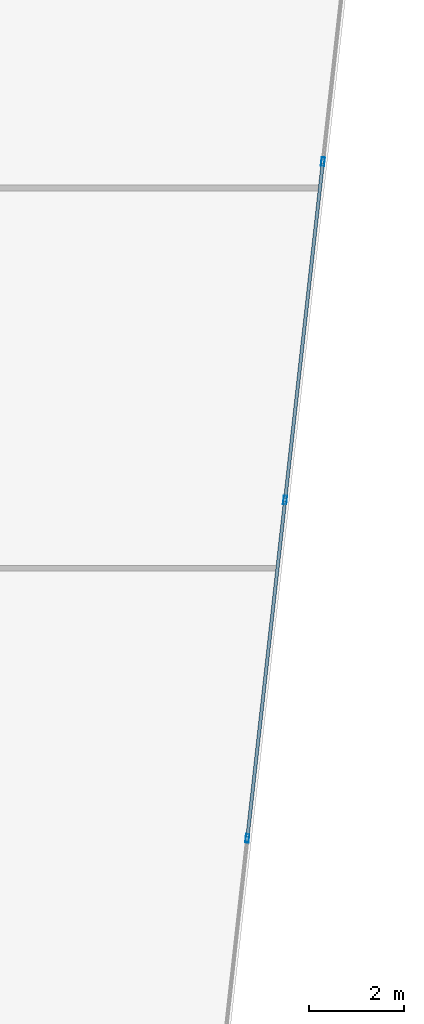
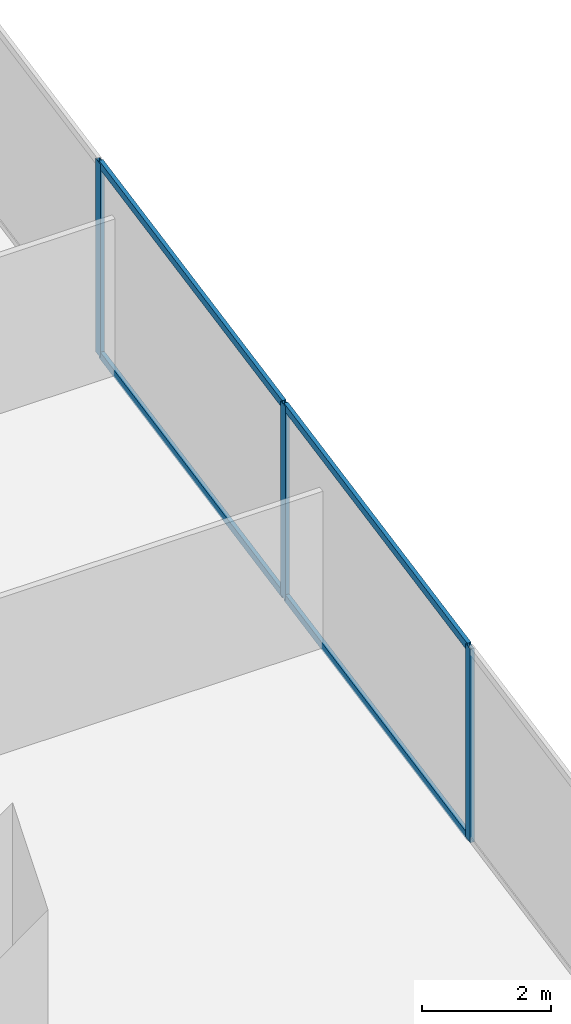
# One storey, part 14 of 29: 7 members, 1 element without a shape of its own.
"""IFC4 building model written with IfcOpenShell, lengths in metres."""

from ifc_helpers import new_model, si_unit, direction, frame, origin, origin_2d, place, context, subcontext, project, spatial, hollow_rectangle, extrude, source, transform, mapped, material, material_profile, profile_set, type_object, type_shapes, element, aggregate, save


model = new_model("IFC4")

# Units and contexts
model_context = context("Model", 3, precision=1e-05, world=origin(), true_north=direction((0.0, 1.0)))
body_context = subcontext(model_context, "Body", "Model", "MODEL_VIEW")
ifc_project = project(units=[si_unit("LENGTHUNIT", "METRE"), si_unit("AREAUNIT", "SQUARE_METRE"), si_unit("VOLUMEUNIT", "CUBIC_METRE"), si_unit("PLANEANGLEUNIT", "RADIAN"), si_unit("MASSUNIT", "GRAM", prefix="KILO")], contexts=[model_context])

# Site, building, storey
site_placement = place(None, origin())
site = spatial("IfcSite", under=ifc_project, at=site_placement, CompositionType="ELEMENT")
building_placement = place(site_placement, origin())
building = spatial("IfcBuilding", under=site, at=building_placement, Name="Krantzveldt Concourse Tower", CompositionType="ELEMENT")
storey_placement = place(building_placement, frame((0.0, 0.0, 60.550048828125)))
storey = spatial("IfcBuildingStorey", under=building, at=storey_placement, Name="L14", CompositionType="ELEMENT", Elevation=60.550048828125)

# Curtain wall, members
ifc_material = material(Name="Anodised aluminium 6063-T6", Category="aluminium")
curtain_wall_type = type_object("IfcCurtainWallType", Name="CW2", PredefinedType="USERDEFINED", material=ifc_material)
curtain_wall_placement = place(storey_placement, origin())
curtain_wall = element("IfcCurtainWall", 1, at=curtain_wall_placement, inside=storey, type_object=curtain_wall_type, Name="CW-L14-F07", ObjectType="UNITISED CURTAIN WALL", PredefinedType="USERDEFINED")
ifc_material_profile_1 = material_profile(ifc_material, hollow_rectangle(XDim=0.070068359375, YDim=0.179931640625, WallThickness=0.0048828125, at=origin_2d()), Name="Anodised aluminium 6063-T6", Category="aluminium")
ifc_profile_set_1 = profile_set([ifc_material_profile_1], Name="Anodised aluminium 6063-T6 - ALU-MULL 180x70x5")
member_type_1 = type_object("IfcMemberType", Name="CW-MUL-180", PredefinedType="MULLION", material=ifc_profile_set_1)
shared_shape_1 = source(origin(), body_context, "Body", "SweptSolid", [
    extrude(hollow_rectangle(XDim=0.070068359375, YDim=0.179931640625, WallThickness=0.0048828125, at=origin_2d()), origin(), (0.0, 0.0, 1.0), 3.669921875),
])
type_shapes(member_type_1, [shared_shape_1])
member_1_placement = place(storey_placement, frame((59.960205078125, 16.811767578125, 0.0), z_axis=(0.0, 0.0, 1.0), x_axis=(-0.993816458223, 0.111035342863, 0.0)))
member_1 = element("IfcMember", 2, at=member_1_placement, type_object=member_type_1, Name="CW-Z12 mullion 3", PredefinedType="MULLION", context=body_context, shape_type="MappedRepresentation", body=[
    mapped(shared_shape_1, transform((0.0, 0.0, 0.0), x_axis=(1.0, 0.0, 0.0), y_axis=(0.0, 1.0, 0.0), z_axis=(0.0, 0.0, 1.0), scale=1.0)),
])
member_2_placement = place(storey_placement, frame((60.755859375, 23.93408203125, 0.0), z_axis=(0.0, 0.0, 1.0), x_axis=(-0.993816458223, 0.111035342863, 0.0)))
member_2 = element("IfcMember", 3, at=member_2_placement, type_object=member_type_1, Name="CW-Z12 mullion 4", PredefinedType="MULLION", context=body_context, shape_type="MappedRepresentation", body=[
    mapped(shared_shape_1, transform((0.0, 0.0, 0.0), x_axis=(1.0, 0.0, 0.0), y_axis=(0.0, 1.0, 0.0), z_axis=(0.0, 0.0, 1.0), scale=1.0)),
])
member_3_placement = place(storey_placement, frame((61.5517578125, 31.056396484375, 0.0), z_axis=(0.0, 0.0, 1.0), x_axis=(-0.993816458223, 0.111035342863, 0.0)))
member_3 = element("IfcMember", 4, at=member_3_placement, type_object=member_type_1, Name="CW-Z12 mullion 5", PredefinedType="MULLION", context=body_context, shape_type="MappedRepresentation", body=[
    mapped(shared_shape_1, transform((0.0, 0.0, 0.0), x_axis=(1.0, 0.0, 0.0), y_axis=(0.0, 1.0, 0.0), z_axis=(0.0, 0.0, 1.0), scale=1.0)),
])
ifc_material_profile_2 = material_profile(ifc_material, hollow_rectangle(XDim=0.070068359375, YDim=0.139892578125, WallThickness=0.0048828125, at=origin_2d()), Name="Anodised aluminium 6063-T6", Category="aluminium")
ifc_profile_set_2 = profile_set([ifc_material_profile_2], Name="Anodised aluminium 6063-T6 - ALU-TRAN 140x70x5")
member_type_2 = type_object("IfcMemberType", Name="CW-TRN-150", PredefinedType="USERDEFINED", material=ifc_profile_set_2)
shared_shape_2 = source(origin(), body_context, "Body", "SweptSolid", [
    extrude(hollow_rectangle(XDim=0.070068359375, YDim=0.139892578125, WallThickness=0.0048828125, at=origin_2d()), origin(), (0.0, 0.0, 1.0), 7.0966796875),
])
member_4_placement = place(storey_placement, frame((60.759765625, 23.968994140625, 0.034912109375), z_axis=(0.111050746722, 0.993814737088, 0.0), x_axis=(-0.993814737088, 0.111050746722, 0.0)))
member_4 = element("IfcMember", 5, at=member_4_placement, type_object=member_type_2, Name="CW-Z12 transom 4.1", ObjectType="TRANSOM", PredefinedType="USERDEFINED", context=body_context, shape_type="MappedRepresentation", body=[
    mapped(shared_shape_2, transform((0.0, 0.0, 0.0), x_axis=(1.0, 0.0, 0.0), y_axis=(0.0, 1.0, 0.0), z_axis=(0.0, 0.0, 1.0), scale=1.0)),
])
member_5_placement = place(storey_placement, frame((60.759765625, 23.968994140625, 3.635009765625), z_axis=(0.111050746722, 0.993814737088, 0.0), x_axis=(-0.993814737088, 0.111050746722, 0.0)))
member_5 = element("IfcMember", 6, at=member_5_placement, type_object=member_type_2, Name="CW-Z12 transom 4.2", ObjectType="TRANSOM", PredefinedType="USERDEFINED", context=body_context, shape_type="MappedRepresentation", body=[
    mapped(shared_shape_2, transform((0.0, 0.0, 0.0), x_axis=(1.0, 0.0, 0.0), y_axis=(0.0, 1.0, 0.0), z_axis=(0.0, 0.0, 1.0), scale=1.0)),
])
shared_shape_3 = source(origin(), body_context, "Body", "SweptSolid", [
    extrude(hollow_rectangle(XDim=0.070068359375, YDim=0.139892578125, WallThickness=0.0048828125, at=origin_2d()), origin(), (0.0, 0.0, 1.0), 7.096923828125),
])
type_shapes(member_type_2, [shared_shape_2, shared_shape_3])
member_6_placement = place(storey_placement, frame((59.964111328125, 16.846435546875, 0.034912109375), z_axis=(0.111046950076, 0.993815161325, 0.0), x_axis=(-0.993815161325, 0.111046950076, 0.0)))
member_6 = element("IfcMember", 7, at=member_6_placement, type_object=member_type_2, Name="CW-Z12 transom 3.1", ObjectType="TRANSOM", PredefinedType="USERDEFINED", context=body_context, shape_type="MappedRepresentation", body=[
    mapped(shared_shape_3, transform((0.0, 0.0, 0.0), x_axis=(1.0, 0.0, 0.0), y_axis=(0.0, 1.0, 0.0), z_axis=(0.0, 0.0, 1.0), scale=1.0)),
])
member_7_placement = place(storey_placement, frame((59.964111328125, 16.846435546875, 3.635009765625), z_axis=(0.111046950076, 0.993815161325, 0.0), x_axis=(-0.993815161325, 0.111046950076, 0.0)))
member_7 = element("IfcMember", 8, at=member_7_placement, type_object=member_type_2, Name="CW-Z12 transom 3.2", ObjectType="TRANSOM", PredefinedType="USERDEFINED", context=body_context, shape_type="MappedRepresentation", body=[
    mapped(shared_shape_3, transform((0.0, 0.0, 0.0), x_axis=(1.0, 0.0, 0.0), y_axis=(0.0, 1.0, 0.0), z_axis=(0.0, 0.0, 1.0), scale=1.0)),
])
aggregate(curtain_wall, [member_1, member_2, member_3, member_6, member_7, member_4, member_5])

save(model, "model.ifc")
